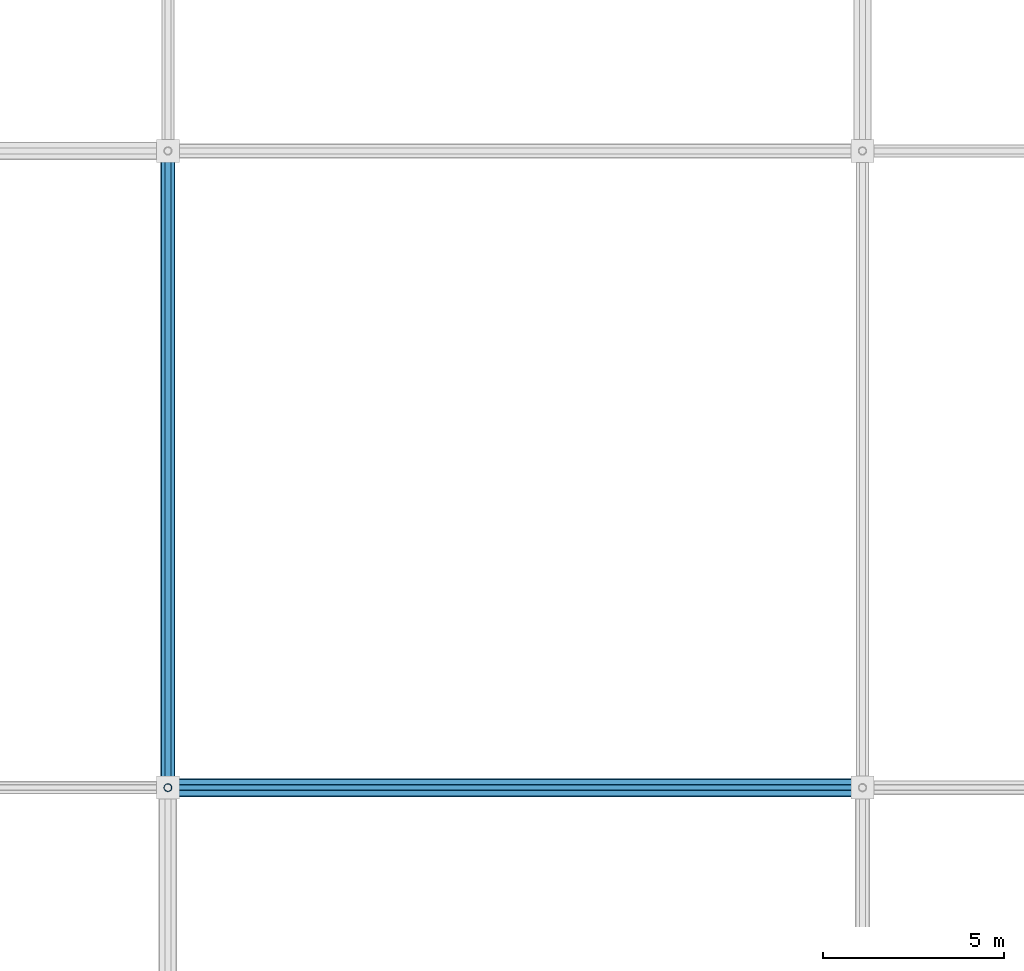
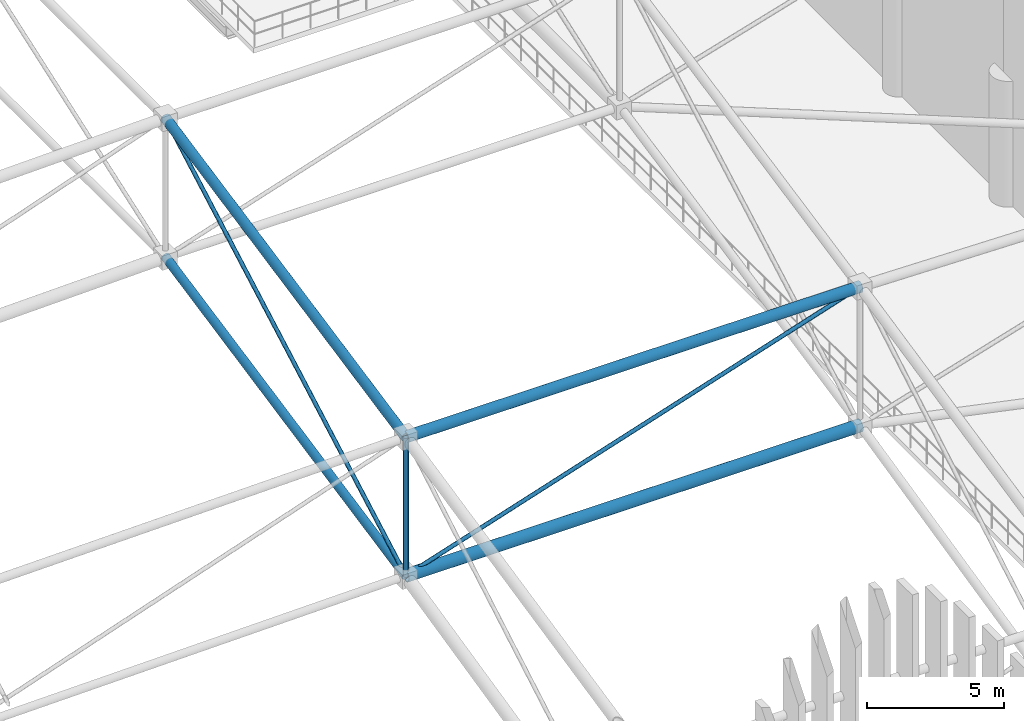
# One storey, part 60 of 193: 7 members.
"""IFC4 building model written with IfcOpenShell, lengths in metres."""

from ifc_helpers import new_model, si_unit, direction, frame, origin, origin_2d, place, context, subcontext, project, spatial, hollow_circle, extrude, material, material_profile, profile_set, type_object, element, save


model = new_model("IFC4")

# Units and contexts
model_context = context("Model", 3, precision=1e-05, world=origin(), true_north=direction((0.0, 1.0)))
body_context = subcontext(model_context, "Body", "Model", "MODEL_VIEW")
ifc_project = project(units=[si_unit("LENGTHUNIT", "METRE"), si_unit("AREAUNIT", "SQUARE_METRE"), si_unit("VOLUMEUNIT", "CUBIC_METRE"), si_unit("PLANEANGLEUNIT", "RADIAN"), si_unit("MASSUNIT", "GRAM", prefix="KILO")], contexts=[model_context])

# Site, building, storey
site_placement = place(None, origin())
site = spatial("IfcSite", under=ifc_project, at=site_placement, CompositionType="ELEMENT")
building_placement = place(site_placement, origin())
building = spatial("IfcBuilding", under=site, at=building_placement, Name="Danafjord Basin Convention Centre", CompositionType="ELEMENT")
storey_placement = place(building_placement, frame((0.0, 0.0, 11.39990234375)))
storey = spatial("IfcBuildingStorey", under=building, at=storey_placement, Name="L02", CompositionType="ELEMENT", Elevation=11.39990234375)

# Members
ifc_material = material(Name="Steel S355", Category="steel")
ifc_material_profile_1 = material_profile(ifc_material, hollow_circle(Radius=0.177734375, WallThickness=0.01611328125, at=origin_2d()), Name="CHS 355.6x16.0")
ifc_profile_set_1 = profile_set([ifc_material_profile_1], Name="Steel S355")
member_type_1 = type_object("IfcMemberType", Name="MEM-CH-CHS355", PredefinedType="CHORD", material=ifc_profile_set_1)
member_1_placement = place(storey_placement, frame((76.800048828125, 73.60009765625, 10.07080078125), z_axis=(0.0, 0.979881323985, 0.19958103844), x_axis=(-1.0, 0.0, 0.0)))
element("IfcMember", 1, at=member_1_placement, inside=storey, type_object=member_type_1, Name="V1 roof truss transverse bottom chord", PredefinedType="CHORD", context=body_context, shape_type="SweptSolid", body=[
    extrude(hollow_circle(Radius=0.177734375, WallThickness=0.01611328125, at=origin_2d()), origin(), (0.0, 0.0, 1.0), 17.961181640625),
])
ifc_material_profile_2 = material_profile(ifc_material, hollow_circle(Radius=0.203125, WallThickness=0.02001953125, at=origin_2d()), Name="CHS 406.4x20.0")
ifc_profile_set_2 = profile_set([ifc_material_profile_2], Name="Steel S355")
member_type_2 = type_object("IfcMemberType", Name="MEM-CH-CHS406", PredefinedType="CHORD", material=ifc_profile_set_2)
member_2_placement = place(storey_placement, frame((76.800048828125, 73.60009765625, 16.27099609375), z_axis=(0.0, 0.979883982164, 0.199567987157), x_axis=(-1.0, 0.0, 0.0)))
element("IfcMember", 2, at=member_2_placement, inside=storey, type_object=member_type_2, Name="V1 roof truss transverse top chord", PredefinedType="CHORD", context=body_context, shape_type="SweptSolid", body=[
    extrude(hollow_circle(Radius=0.203125, WallThickness=0.02001953125, at=origin_2d()), origin(), (0.0, 0.0, 1.0), 17.961181640625),
])
ifc_material_profile_3 = material_profile(ifc_material, hollow_circle(Radius=0.228515625, WallThickness=0.02001953125, at=origin_2d()), Name="CHS 457.0x20.0")
ifc_profile_set_3 = profile_set([ifc_material_profile_3], Name="Steel S355")
member_type_3 = type_object("IfcMemberType", Name="MEM-CH-CHS457", PredefinedType="CHORD", material=ifc_profile_set_3)
member_3_placement = place(storey_placement, frame((76.800048828125, 73.60009765625, 16.27099609375), z_axis=(1.0, 0.0, 0.0), x_axis=(0.0, 1.0, 0.0)))
element("IfcMember", 3, at=member_3_placement, inside=storey, type_object=member_type_3, Name="V1 roof truss longitudinal top chord", PredefinedType="CHORD", context=body_context, shape_type="SweptSolid", body=[
    extrude(hollow_circle(Radius=0.228515625, WallThickness=0.02001953125, at=origin_2d()), origin(), (0.0, 0.0, 1.0), 19.199951171875),
])
ifc_material_profile_4 = material_profile(ifc_material, hollow_circle(Radius=0.25390625, WallThickness=0.02490234375, at=origin_2d()), Name="CHS 508.0x25.0")
ifc_profile_set_4 = profile_set([ifc_material_profile_4], Name="Steel S355")
member_type_4 = type_object("IfcMemberType", Name="MEM-CH-CHS508", PredefinedType="CHORD", material=ifc_profile_set_4)
member_4_placement = place(storey_placement, frame((76.800048828125, 73.60009765625, 10.07080078125), z_axis=(1.0, 0.0, 0.0), x_axis=(0.0, 1.0, 0.0)))
element("IfcMember", 4, at=member_4_placement, inside=storey, type_object=member_type_4, Name="V1 roof truss longitudinal bottom chord", PredefinedType="CHORD", context=body_context, shape_type="SweptSolid", body=[
    extrude(hollow_circle(Radius=0.25390625, WallThickness=0.02490234375, at=origin_2d()), origin(), (0.0, 0.0, 1.0), 19.199951171875),
])
ifc_material_profile_5 = material_profile(ifc_material, hollow_circle(Radius=0.109619140625, WallThickness=0.010009765625, at=origin_2d()), Name="CHS 219.1x10.0")
ifc_profile_set_5 = profile_set([ifc_material_profile_5], Name="Steel S355")
member_type_5 = type_object("IfcMemberType", Name="MEM-ST-CHS219", PredefinedType="STRUT", material=ifc_profile_set_5)
member_5_placement = place(storey_placement, frame((76.800048828125, 73.60009765625, 10.07080078125), z_axis=(0.0, 0.0, 1.0), x_axis=(1.0, 0.0, 0.0)))
element("IfcMember", 5, at=member_5_placement, inside=storey, type_object=member_type_5, Name="V1 roof truss vertical strut", PredefinedType="STRUT", context=body_context, shape_type="SweptSolid", body=[
    extrude(hollow_circle(Radius=0.109619140625, WallThickness=0.010009765625, at=origin_2d()), origin(), (0.0, 0.0, 1.0), 6.2001953125),
])
ifc_material_profile_6 = material_profile(ifc_material, hollow_circle(Radius=0.084228515625, WallThickness=0.008056640625, at=origin_2d()), Name="CHS 168.3x8.0")
ifc_profile_set_6 = profile_set([ifc_material_profile_6], Name="Steel S355")
member_type_6 = type_object("IfcMemberType", Name="MEM-WB-CHS168", PredefinedType="MEMBER", material=ifc_profile_set_6)
member_6_placement = place(storey_placement, frame((76.800048828125, 73.60009765625, 10.07080078125), z_axis=(0.951612086859, 0.0, 0.307301864856), x_axis=(0.0, 1.0, 0.0)))
element("IfcMember", 6, at=member_6_placement, inside=storey, type_object=member_type_6, Name="V1 space-frame longitudinal web", PredefinedType="MEMBER", context=body_context, shape_type="SweptSolid", body=[
    extrude(hollow_circle(Radius=0.084228515625, WallThickness=0.008056640625, at=origin_2d()), origin(), (0.0, 0.0, 1.0), 20.17626953125),
])
member_7_placement = place(storey_placement, frame((76.800048828125, 73.60009765625, 10.07080078125), z_axis=(0.0, 0.874010260641, 0.485907464744), x_axis=(-1.0, 0.0, 0.0)))
element("IfcMember", 7, at=member_7_placement, inside=storey, type_object=member_type_6, Name="V1 space-frame transverse web", PredefinedType="MEMBER", context=body_context, shape_type="SweptSolid", body=[
    extrude(hollow_circle(Radius=0.084228515625, WallThickness=0.008056640625, at=origin_2d()), origin(), (0.0, 0.0, 1.0), 20.136962890625),
])

save(model, "model.ifc")
